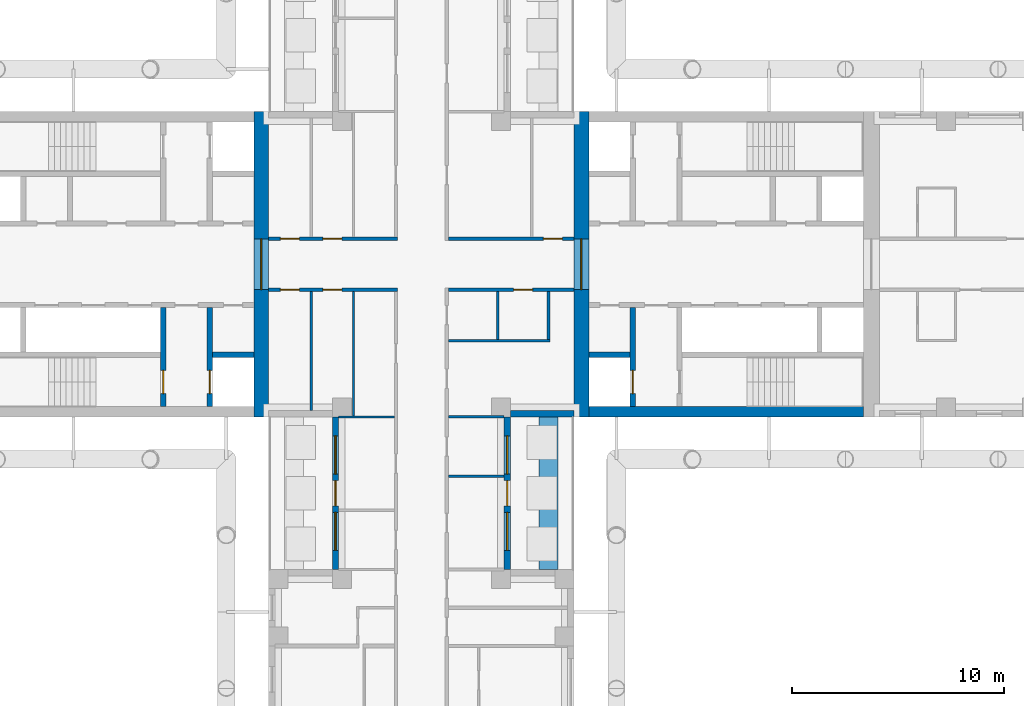
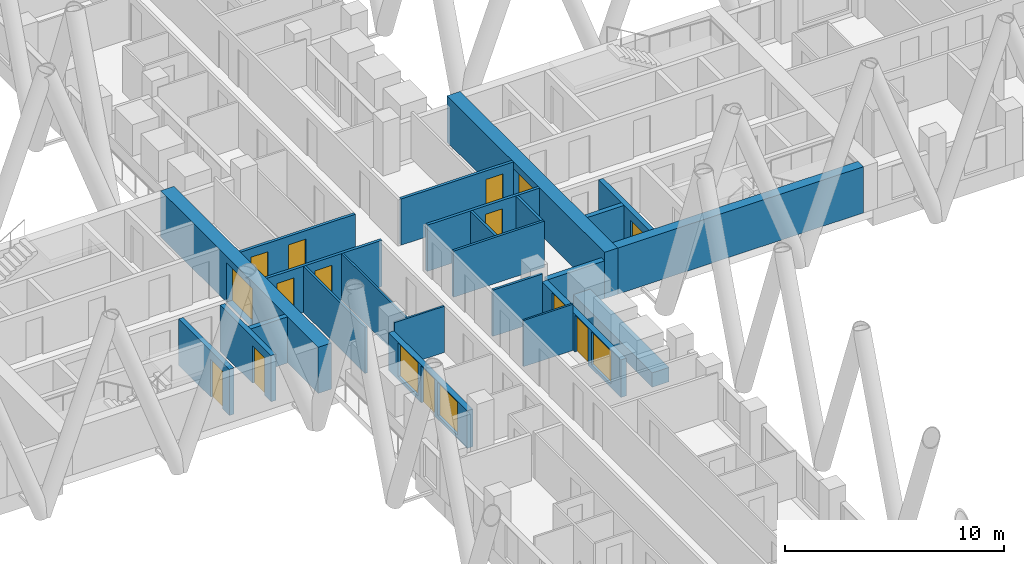
# One storey, part 8 of 17: 24 walls, 13 doors, 4 windows, 17 openings.
"""IFC4 building model written with IfcOpenShell, lengths in metres."""

from ifc_helpers import new_model, si_unit, direction, frame, frame_2d, origin, place, context, subcontext, project, spatial, rectangle, extrude, material, layer, layer_set, type_object, element, fill, save


model = new_model("IFC4")

# Units and contexts
model_context = context("Model", 3, precision=1e-05, world=origin(), true_north=direction((0.0, 1.0)))
body_context = subcontext(model_context, "Body", "Model", "MODEL_VIEW")
ifc_project = project(units=[si_unit("LENGTHUNIT", "METRE"), si_unit("AREAUNIT", "SQUARE_METRE"), si_unit("VOLUMEUNIT", "CUBIC_METRE"), si_unit("PLANEANGLEUNIT", "RADIAN"), si_unit("MASSUNIT", "GRAM", prefix="KILO")], contexts=[model_context])

# Site, building, storey
site_placement = place(None, origin())
site = spatial("IfcSite", under=ifc_project, at=site_placement, CompositionType="ELEMENT")
building_placement = place(site_placement, origin())
building = spatial("IfcBuilding", under=site, at=building_placement, Name="Fustian Cross Tower", CompositionType="ELEMENT")
storey_placement = place(building_placement, frame((0.0, 0.0, 56.699951171875)))
storey = spatial("IfcBuildingStorey", under=building, at=storey_placement, Name="L17", CompositionType="ELEMENT", Elevation=56.699951171875)

# Wall, openings, doors
ifc_material_1 = material(Name="Plasterboard on steel stud", Category="steel")
ifc_layer_1 = layer(ifc_material_1, 0.14990234375)
ifc_layer_set_1 = layer_set([ifc_layer_1], Name="Plasterboard on steel stud")
wall_type_1 = type_object("IfcWallType", Name="COMPARTMENT WALL 150 EI 60", PredefinedType="PARTITIONING", material=ifc_layer_set_1)
wall_1_placement = place(storey_placement, frame((-7.199951171875, -1.199951171875, 0.0), z_axis=(0.0, 0.0, 1.0), x_axis=(1.0, 0.0, 0.0)))
wall_1 = element("IfcWall", 1, at=wall_1_placement, inside=storey, type_object=wall_type_1, Name="Partition 12", PredefinedType="PARTITIONING", context=body_context, shape_type="SweptSolid", body=[
    extrude(rectangle(XDim=6.074951171875, YDim=0.14990234375, at=frame_2d((3.03759765625, 0.0))), origin(), (0.0, 0.0, 1.0), 2.574951171875),
])
opening_1_placement = place(wall_1_placement, frame((2.550048828125, 0.0, 0.0)))
opening_1 = element("IfcOpeningElement", 2, at=opening_1_placement, cuts=wall_1, Name="Opening D09010", PredefinedType="OPENING", context=body_context, shape_type="SweptSolid", body=[
    extrude(rectangle(XDim=0.89990234375, YDim=2.10009765625, at=frame_2d((0.449951171875, 1.050048828125))), frame((0.0, 0.0849609375, 0.0), z_axis=(0.0, -1.0, 0.0), x_axis=(1.0, 0.0, 0.0)), (0.0, 0.0, 1.0), 0.169921875),
])
opening_2_placement = place(wall_1_placement, frame((0.550048828125, 0.0, 0.0)))
opening_2 = element("IfcOpeningElement", 3, at=opening_2_placement, cuts=wall_1, Name="Opening D09011", PredefinedType="OPENING", context=body_context, shape_type="SweptSolid", body=[
    extrude(rectangle(XDim=0.89990234375, YDim=2.10009765625, at=frame_2d((0.449951171875, 1.050048828125))), frame((0.0, 0.0849609375, 0.0), z_axis=(0.0, -1.0, 0.0), x_axis=(1.0, 0.0, 0.0)), (0.0, 0.0, 1.0), 0.169921875),
])
ifc_material_2 = material(Name="Timber fire door set", Category="wood")
door_type_1 = type_object("IfcDoorType", Name="FIRE SWING DOOR 900 FD30S", OperationType="SINGLE_SWING_LEFT", PredefinedType="DOOR", material=ifc_material_2)
door_1_placement = place(opening_1_placement, frame((0.89990234375, 0.0, 0.0), z_axis=(0.0, 0.0, 1.0), x_axis=(-1.0, 0.0, 0.0)))
door_1 = element("IfcDoor", 4, at=door_1_placement, inside=storey, type_object=door_type_1, Name="Door D09010", OperationType="SINGLE_SWING_RIGHT", OverallHeight=2.10009765625, OverallWidth=0.89990234375, PredefinedType="DOOR", context=body_context, shape_type="SweptSolid", body=[
    extrude(rectangle(XDim=0.89990234375, YDim=2.10009765625, at=frame_2d((0.449951171875, 1.050048828125))), frame((0.0, 0.02490234375, 0.0), z_axis=(0.0, -1.0, 0.0), x_axis=(1.0, 0.0, 0.0)), (0.0, 0.0, 1.0), 0.050048828125),
])
fill(opening_1, door_1)
door_2_placement = place(opening_2_placement, frame((0.89990234375, 0.0, 0.0), z_axis=(0.0, 0.0, 1.0), x_axis=(-1.0, 0.0, 0.0)))
door_2 = element("IfcDoor", 5, at=door_2_placement, inside=storey, type_object=door_type_1, Name="Door D09011", OperationType="SINGLE_SWING_RIGHT", OverallHeight=2.10009765625, OverallWidth=0.89990234375, PredefinedType="DOOR", context=body_context, shape_type="SweptSolid", body=[
    extrude(rectangle(XDim=0.89990234375, YDim=2.10009765625, at=frame_2d((0.449951171875, 1.050048828125))), frame((0.0, 0.02490234375, 0.0), z_axis=(0.0, -1.0, 0.0), x_axis=(1.0, 0.0, 0.0)), (0.0, 0.0, 1.0), 0.050048828125),
])
fill(opening_2, door_2)

wall_2_placement = place(storey_placement, frame((-7.199951171875, 1.199951171875, 0.0), z_axis=(0.0, 0.0, 1.0), x_axis=(1.0, 0.0, 0.0)))
wall_2 = element("IfcWall", 6, at=wall_2_placement, inside=storey, type_object=wall_type_1, Name="Partition 13", PredefinedType="PARTITIONING", context=body_context, shape_type="SweptSolid", body=[
    extrude(rectangle(XDim=6.074951171875, YDim=0.14990234375, at=frame_2d((3.03759765625, 0.0))), origin(), (0.0, 0.0, 1.0), 2.574951171875),
])
opening_3_placement = place(wall_2_placement, frame((2.550048828125, 0.0, 0.0)))
opening_3 = element("IfcOpeningElement", 7, at=opening_3_placement, cuts=wall_2, Name="Opening D09004", PredefinedType="OPENING", context=body_context, shape_type="SweptSolid", body=[
    extrude(rectangle(XDim=0.89990234375, YDim=2.10009765625, at=frame_2d((0.449951171875, 1.050048828125))), frame((0.0, 0.0849609375, 0.0), z_axis=(0.0, -1.0, 0.0), x_axis=(1.0, 0.0, 0.0)), (0.0, 0.0, 1.0), 0.169921875),
])
opening_4_placement = place(wall_2_placement, frame((0.550048828125, 0.0, 0.0)))
opening_4 = element("IfcOpeningElement", 8, at=opening_4_placement, cuts=wall_2, Name="Opening D09005", PredefinedType="OPENING", context=body_context, shape_type="SweptSolid", body=[
    extrude(rectangle(XDim=0.89990234375, YDim=2.10009765625, at=frame_2d((0.449951171875, 1.050048828125))), frame((0.0, 0.0849609375, 0.0), z_axis=(0.0, -1.0, 0.0), x_axis=(1.0, 0.0, 0.0)), (0.0, 0.0, 1.0), 0.169921875),
])
door_3_placement = place(opening_3_placement, origin())
door_3 = element("IfcDoor", 9, at=door_3_placement, inside=storey, type_object=door_type_1, Name="Door D09004", OperationType="SINGLE_SWING_LEFT", OverallHeight=2.10009765625, OverallWidth=0.89990234375, PredefinedType="DOOR", context=body_context, shape_type="SweptSolid", body=[
    extrude(rectangle(XDim=0.89990234375, YDim=2.10009765625, at=frame_2d((0.449951171875, 1.050048828125))), frame((0.0, 0.02490234375, 0.0), z_axis=(0.0, -1.0, 0.0), x_axis=(1.0, 0.0, 0.0)), (0.0, 0.0, 1.0), 0.050048828125),
])
fill(opening_3, door_3)
door_4_placement = place(opening_4_placement, origin())
door_4 = element("IfcDoor", 10, at=door_4_placement, inside=storey, type_object=door_type_1, Name="Door D09005", OperationType="SINGLE_SWING_LEFT", OverallHeight=2.10009765625, OverallWidth=0.89990234375, PredefinedType="DOOR", context=body_context, shape_type="SweptSolid", body=[
    extrude(rectangle(XDim=0.89990234375, YDim=2.10009765625, at=frame_2d((0.449951171875, 1.050048828125))), frame((0.0, 0.02490234375, 0.0), z_axis=(0.0, -1.0, 0.0), x_axis=(1.0, 0.0, 0.0)), (0.0, 0.0, 1.0), 0.050048828125),
])
fill(opening_4, door_4)

# Wall, opening, door
wall_3_placement = place(storey_placement, frame((1.27490234375, -1.199951171875, 0.0), z_axis=(0.0, 0.0, 1.0), x_axis=(1.0, 0.0, 0.0)))
wall_3 = element("IfcWall", 11, at=wall_3_placement, inside=storey, type_object=wall_type_1, Name="Partition 56", PredefinedType="PARTITIONING", context=body_context, shape_type="SweptSolid", body=[
    extrude(rectangle(XDim=5.925048828125, YDim=0.14990234375, at=frame_2d((2.96240234375, 0.0))), origin(), (0.0, 0.0, 1.0), 2.574951171875),
])
opening_5_placement = place(wall_3_placement, frame((3.074951171875, 0.0, 0.0)))
opening_5 = element("IfcOpeningElement", 12, at=opening_5_placement, cuts=wall_3, Name="Opening D09007", PredefinedType="OPENING", context=body_context, shape_type="SweptSolid", body=[
    extrude(rectangle(XDim=0.89990234375, YDim=2.10009765625, at=frame_2d((0.449951171875, 1.050048828125))), frame((0.0, 0.0849609375, 0.0), z_axis=(0.0, -1.0, 0.0), x_axis=(1.0, 0.0, 0.0)), (0.0, 0.0, 1.0), 0.169921875),
])
door_5_placement = place(opening_5_placement, frame((0.89990234375, 0.0, 0.0), z_axis=(0.0, 0.0, 1.0), x_axis=(-1.0, 0.0, 0.0)))
door_5 = element("IfcDoor", 13, at=door_5_placement, inside=storey, type_object=door_type_1, Name="Door D09007", OperationType="SINGLE_SWING_RIGHT", OverallHeight=2.10009765625, OverallWidth=0.89990234375, PredefinedType="DOOR", context=body_context, shape_type="SweptSolid", body=[
    extrude(rectangle(XDim=0.89990234375, YDim=2.10009765625, at=frame_2d((0.449951171875, 1.050048828125))), frame((0.0, 0.02490234375, 0.0), z_axis=(0.0, -1.0, 0.0), x_axis=(1.0, 0.0, 0.0)), (0.0, 0.0, 1.0), 0.050048828125),
])
fill(opening_5, door_5)

wall_4_placement = place(storey_placement, frame((1.27490234375, 1.199951171875, 0.0), z_axis=(0.0, 0.0, 1.0), x_axis=(1.0, 0.0, 0.0)))
wall_4 = element("IfcWall", 14, at=wall_4_placement, inside=storey, type_object=wall_type_1, Name="Partition 58", PredefinedType="PARTITIONING", context=body_context, shape_type="SweptSolid", body=[
    extrude(rectangle(XDim=5.925048828125, YDim=0.14990234375, at=frame_2d((2.96240234375, 0.0))), origin(), (0.0, 0.0, 1.0), 2.574951171875),
])
opening_6_placement = place(wall_4_placement, frame((4.47509765625, 0.0, 0.0)))
opening_6 = element("IfcOpeningElement", 15, at=opening_6_placement, cuts=wall_4, Name="Opening D09002", PredefinedType="OPENING", context=body_context, shape_type="SweptSolid", body=[
    extrude(rectangle(XDim=0.89990234375, YDim=2.10009765625, at=frame_2d((0.449951171875, 1.050048828125))), frame((0.0, 0.0849609375, 0.0), z_axis=(0.0, -1.0, 0.0), x_axis=(1.0, 0.0, 0.0)), (0.0, 0.0, 1.0), 0.169921875),
])
door_6_placement = place(opening_6_placement, origin())
door_6 = element("IfcDoor", 16, at=door_6_placement, inside=storey, type_object=door_type_1, Name="Door D09002", OperationType="SINGLE_SWING_LEFT", OverallHeight=2.10009765625, OverallWidth=0.89990234375, PredefinedType="DOOR", context=body_context, shape_type="SweptSolid", body=[
    extrude(rectangle(XDim=0.89990234375, YDim=2.10009765625, at=frame_2d((0.449951171875, 1.050048828125))), frame((0.0, 0.02490234375, 0.0), z_axis=(0.0, -1.0, 0.0), x_axis=(1.0, 0.0, 0.0)), (0.0, 0.0, 1.0), 0.050048828125),
])
fill(opening_6, door_6)

ifc_material_3 = material(Name="Concrete C80/95", Category="concrete")
ifc_layer_2 = layer(ifc_material_3, 0.699951171875)
ifc_layer_set_2 = layer_set([ifc_layer_2], Name="Concrete C80/95")
wall_type_2 = type_object("IfcWallType", Name="CORE END WALL 700 C80/95", PredefinedType="SHEAR", material=ifc_layer_set_2)
wall_5_placement = place(storey_placement, frame((7.550048828125, -7.199951171875, 0.0), z_axis=(0.0, 0.0, 1.0), x_axis=(0.0, 1.0, 0.0)))
wall_5 = element("IfcWall", 17, at=wall_5_placement, inside=storey, type_object=wall_type_2, Name="Core end wall", PredefinedType="SHEAR", context=body_context, shape_type="SweptSolid", body=[
    extrude(rectangle(XDim=14.39990234375, YDim=0.699951171875, at=frame_2d((7.199951171875, 0.0))), origin(), (0.0, 0.0, 1.0), 2.574951171875),
])
opening_7_placement = place(wall_5_placement, frame((6.0, 0.0, 0.0)))
opening_7 = element("IfcOpeningElement", 18, at=opening_7_placement, cuts=wall_5, Name="Opening CD-06-12", PredefinedType="OPENING", context=body_context, shape_type="SweptSolid", body=[
    extrude(rectangle(XDim=2.39990234375, YDim=2.199951171875, at=frame_2d((1.199951171875, 1.10009765625))), frame((0.0, 0.35986328125, 0.0), z_axis=(0.0, -1.0, 0.0), x_axis=(1.0, 0.0, 0.0)), (0.0, 0.0, 1.0), 0.719970703125),
])
ifc_material_4 = material(Name="Steel", Category="steel")
door_type_2 = type_object("IfcDoorType", Name="FIRE DOOR FD30S DOUBLE 2400X2200", OperationType="DOUBLE_DOOR_DOUBLE_SWING", PredefinedType="DOOR", material=ifc_material_4)
door_7_placement = place(opening_7_placement, frame((2.39990234375, 0.0, 0.0), z_axis=(0.0, 0.0, 1.0), x_axis=(-1.0, 0.0, 0.0)))
door_7 = element("IfcDoor", 19, at=door_7_placement, inside=storey, type_object=door_type_2, Name="Core door CD-06-12", OperationType="DOUBLE_DOOR_DOUBLE_SWING", OverallHeight=2.199951171875, OverallWidth=2.39990234375, PredefinedType="DOOR", context=body_context, shape_type="SweptSolid", body=[
    extrude(rectangle(XDim=2.39990234375, YDim=2.199951171875, at=frame_2d((1.199951171875, 1.10009765625))), frame((0.0, 0.02490234375, 0.0), z_axis=(0.0, -1.0, 0.0), x_axis=(1.0, 0.0, 0.0)), (0.0, 0.0, 1.0), 0.050048828125),
])
fill(opening_7, door_7)

wall_6_placement = place(storey_placement, frame((-7.550048828125, -7.199951171875, 0.0), z_axis=(0.0, 0.0, 1.0), x_axis=(0.0, 1.0, 0.0)))
wall_6 = element("IfcWall", 20, at=wall_6_placement, inside=storey, type_object=wall_type_2, Name="Core end wall", PredefinedType="SHEAR", context=body_context, shape_type="SweptSolid", body=[
    extrude(rectangle(XDim=14.39990234375, YDim=0.699951171875, at=frame_2d((7.199951171875, 0.0))), origin(), (0.0, 0.0, 1.0), 2.574951171875),
])
opening_8_placement = place(wall_6_placement, frame((6.0, 0.0, 0.0)))
opening_8 = element("IfcOpeningElement", 21, at=opening_8_placement, cuts=wall_6, Name="Opening CD-06-27", PredefinedType="OPENING", context=body_context, shape_type="SweptSolid", body=[
    extrude(rectangle(XDim=2.39990234375, YDim=2.199951171875, at=frame_2d((1.199951171875, 1.10009765625))), frame((0.0, 0.35986328125, 0.0), z_axis=(0.0, -1.0, 0.0), x_axis=(1.0, 0.0, 0.0)), (0.0, 0.0, 1.0), 0.719970703125),
])
door_8_placement = place(opening_8_placement, origin())
door_8 = element("IfcDoor", 22, at=door_8_placement, inside=storey, type_object=door_type_2, Name="Core door CD-06-27", OperationType="DOUBLE_DOOR_DOUBLE_SWING", OverallHeight=2.199951171875, OverallWidth=2.39990234375, PredefinedType="DOOR", context=body_context, shape_type="SweptSolid", body=[
    extrude(rectangle(XDim=2.39990234375, YDim=2.199951171875, at=frame_2d((1.199951171875, 1.10009765625))), frame((0.0, 0.02490234375, 0.0), z_axis=(0.0, -1.0, 0.0), x_axis=(1.0, 0.0, 0.0)), (0.0, 0.0, 1.0), 0.050048828125),
])
fill(opening_8, door_8)

# Walls
ifc_material_5 = material(Name="Concrete C80/95", Category="concrete")
ifc_layer_3 = layer(ifc_material_5, 0.5)
ifc_layer_set_3 = layer_set([ifc_layer_3], Name="Concrete C80/95")
wall_type_3 = type_object("IfcWallType", Name="CORE FACADE WALL 500 C80/95", PredefinedType="SHEAR", material=ifc_layer_set_3)
wall_7_placement = place(storey_placement, frame((7.89990234375, -6.949951171875, 0.0), z_axis=(0.0, 0.0, 1.0), x_axis=(1.0, 0.0, 0.0)))
element("IfcWall", 23, at=wall_7_placement, inside=storey, type_object=wall_type_3, Name="Core facade wall", PredefinedType="SHEAR", context=body_context, shape_type="SweptSolid", body=[
    extrude(rectangle(XDim=12.9501953125, YDim=0.5, at=frame_2d((6.47509765625, 0.0))), origin(), (0.0, 0.0, 1.0), 2.574951171875),
])
ifc_material_6 = material(Name="Concrete C50/60", Category="concrete")
ifc_layer_4 = layer(ifc_material_6, 0.25)
ifc_layer_set_4 = layer_set([ifc_layer_4], Name="Concrete C50/60")
wall_type_4 = type_object("IfcWallType", Name="CORE SHAFT WALL 250 C50/60", PredefinedType="SHEAR", material=ifc_layer_set_4)
wall_8_placement = place(storey_placement, frame((7.89990234375, -4.27490234375, 0.0), z_axis=(0.0, 0.0, 1.0), x_axis=(1.0, 0.0, 0.0)))
element("IfcWall", 24, at=wall_8_placement, inside=storey, type_object=wall_type_4, Name="Core shaft wall", PredefinedType="SHEAR", context=body_context, shape_type="SweptSolid", body=[
    extrude(rectangle(XDim=1.9501953125, YDim=0.25, at=frame_2d((0.97509765625, 0.0))), origin(), (0.0, 0.0, 1.0), 2.574951171875),
])

# Wall, opening, door
wall_9_placement = place(storey_placement, frame((9.97509765625, -2.050048828125, 0.0), z_axis=(0.0, 0.0, 1.0), x_axis=(0.0, -1.0, 0.0)))
wall_9 = element("IfcWall", 25, at=wall_9_placement, inside=storey, type_object=wall_type_4, Name="Core shaft wall", PredefinedType="SHEAR", context=body_context, shape_type="SweptSolid", body=[
    extrude(rectangle(XDim=4.64990234375, YDim=0.25, at=frame_2d((2.324951171875, 0.0))), origin(), (0.0, 0.0, 1.0), 2.574951171875),
])
opening_9_placement = place(wall_9_placement, frame((2.949951171875, 0.0, 0.0)))
opening_9 = element("IfcOpeningElement", 26, at=opening_9_placement, cuts=wall_9, Name="Opening LD", PredefinedType="OPENING", context=body_context, shape_type="SweptSolid", body=[
    extrude(rectangle(XDim=1.10009765625, YDim=2.10009765625, at=frame_2d((0.550048828125, 1.050048828125))), frame((0.0, 0.135009765625, 0.0), z_axis=(0.0, -1.0, 0.0), x_axis=(1.0, 0.0, 0.0)), (0.0, 0.0, 1.0), 0.27001953125),
])
ifc_material_7 = material(Name="Stainless steel", Category="steel")
door_type_3 = type_object("IfcDoorType", Name="LIFT LANDING DOOR 1100X2100", OperationType="SLIDING_TO_LEFT", PredefinedType="DOOR", material=ifc_material_7)
door_9_placement = place(opening_9_placement, origin())
door_9 = element("IfcDoor", 27, at=door_9_placement, inside=storey, type_object=door_type_3, Name="Landing door SV1", OperationType="SLIDING_TO_LEFT", OverallHeight=2.10009765625, OverallWidth=1.10009765625, PredefinedType="DOOR", context=body_context, shape_type="SweptSolid", body=[
    extrude(rectangle(XDim=1.10009765625, YDim=2.10009765625, at=frame_2d((0.550048828125, 1.050048828125))), frame((0.0, 0.02490234375, 0.0), z_axis=(0.0, -1.0, 0.0), x_axis=(1.0, 0.0, 0.0)), (0.0, 0.0, 1.0), 0.050048828125),
])
fill(opening_9, door_9)

# Wall
wall_10_placement = place(storey_placement, frame((-7.89990234375, -4.27490234375, 0.0), z_axis=(0.0, 0.0, 1.0), x_axis=(-1.0, 0.0, 0.0)))
element("IfcWall", 28, at=wall_10_placement, inside=storey, type_object=wall_type_4, Name="Core shaft wall", PredefinedType="SHEAR", context=body_context, shape_type="SweptSolid", body=[
    extrude(rectangle(XDim=1.9501953125, YDim=0.25, at=frame_2d((0.97509765625, 0.0))), origin(), (0.0, 0.0, 1.0), 2.574951171875),
])

# Wall, opening, door
wall_11_placement = place(storey_placement, frame((-9.97509765625, -2.050048828125, 0.0), z_axis=(0.0, 0.0, 1.0), x_axis=(0.0, -1.0, 0.0)))
wall_11 = element("IfcWall", 29, at=wall_11_placement, inside=storey, type_object=wall_type_4, Name="Core shaft wall", PredefinedType="SHEAR", context=body_context, shape_type="SweptSolid", body=[
    extrude(rectangle(XDim=4.64990234375, YDim=0.25, at=frame_2d((2.324951171875, 0.0))), origin(), (0.0, 0.0, 1.0), 2.574951171875),
])
opening_10_placement = place(wall_11_placement, frame((2.949951171875, 0.0, 0.0)))
opening_10 = element("IfcOpeningElement", 30, at=opening_10_placement, cuts=wall_11, Name="Opening LD", PredefinedType="OPENING", context=body_context, shape_type="SweptSolid", body=[
    extrude(rectangle(XDim=1.10009765625, YDim=2.10009765625, at=frame_2d((0.550048828125, 1.050048828125))), frame((0.0, 0.135009765625, 0.0), z_axis=(0.0, -1.0, 0.0), x_axis=(1.0, 0.0, 0.0)), (0.0, 0.0, 1.0), 0.27001953125),
])
door_10_placement = place(opening_10_placement, origin())
door_10 = element("IfcDoor", 31, at=door_10_placement, inside=storey, type_object=door_type_3, Name="Landing door SV1W", OperationType="SLIDING_TO_LEFT", OverallHeight=2.10009765625, OverallWidth=1.10009765625, PredefinedType="DOOR", context=body_context, shape_type="SweptSolid", body=[
    extrude(rectangle(XDim=1.10009765625, YDim=2.10009765625, at=frame_2d((0.550048828125, 1.050048828125))), frame((0.0, 0.02490234375, 0.0), z_axis=(0.0, -1.0, 0.0), x_axis=(1.0, 0.0, 0.0)), (0.0, 0.0, 1.0), 0.050048828125),
])
fill(opening_10, door_10)

wall_12_placement = place(storey_placement, frame((-12.175048828125, -2.050048828125, 0.0), z_axis=(0.0, 0.0, 1.0), x_axis=(0.0, -1.0, 0.0)))
wall_12 = element("IfcWall", 32, at=wall_12_placement, inside=storey, type_object=wall_type_4, Name="Core shaft wall", PredefinedType="SHEAR", context=body_context, shape_type="SweptSolid", body=[
    extrude(rectangle(XDim=4.64990234375, YDim=0.25, at=frame_2d((2.324951171875, 0.0))), origin(), (0.0, 0.0, 1.0), 2.574951171875),
])
opening_11_placement = place(wall_12_placement, frame((2.949951171875, 0.0, 0.0)))
opening_11 = element("IfcOpeningElement", 33, at=opening_11_placement, cuts=wall_12, Name="Opening CD-06-22", PredefinedType="OPENING", context=body_context, shape_type="SweptSolid", body=[
    extrude(rectangle(XDim=1.10009765625, YDim=2.10009765625, at=frame_2d((0.550048828125, 1.050048828125))), frame((0.0, 0.135009765625, 0.0), z_axis=(0.0, -1.0, 0.0), x_axis=(1.0, 0.0, 0.0)), (0.0, 0.0, 1.0), 0.27001953125),
])
ifc_material_8 = material(Name="Steel", Category="steel")
door_type_4 = type_object("IfcDoorType", Name="FIRE DOOR FD60S 1100X2100", OperationType="SINGLE_SWING_LEFT", PredefinedType="DOOR", material=ifc_material_8)
door_11_placement = place(opening_11_placement, frame((1.10009765625, 0.0, 0.0), z_axis=(0.0, 0.0, 1.0), x_axis=(-1.0, 0.0, 0.0)))
door_11 = element("IfcDoor", 34, at=door_11_placement, inside=storey, type_object=door_type_4, Name="Core door CD-06-22", OperationType="SINGLE_SWING_RIGHT", OverallHeight=2.10009765625, OverallWidth=1.10009765625, PredefinedType="DOOR", context=body_context, shape_type="SweptSolid", body=[
    extrude(rectangle(XDim=1.10009765625, YDim=2.10009765625, at=frame_2d((0.550048828125, 1.050048828125))), frame((0.0, 0.02490234375, 0.0), z_axis=(0.0, -1.0, 0.0), x_axis=(1.0, 0.0, 0.0)), (0.0, 0.0, 1.0), 0.050048828125),
])
fill(opening_11, door_11)

# Walls
ifc_material_9 = material(Name="Plasterboard on steel stud", Category="steel")
ifc_layer_5 = layer(ifc_material_9, 0.10009765625)
ifc_layer_set_5 = layer_set([ifc_layer_5], Name="Plasterboard on steel stud")
wall_type_5 = type_object("IfcWallType", Name="PARTITION 100 STUD", PredefinedType="PARTITIONING", material=ifc_layer_set_5)
wall_13_placement = place(storey_placement, frame((-3.89990234375, -7.199951171875, 0.0), z_axis=(0.0, 0.0, 1.0), x_axis=(1.0, 0.0, 0.0)))
element("IfcWall", 35, at=wall_13_placement, inside=storey, type_object=wall_type_5, Name="Partition 30", PredefinedType="PARTITIONING", context=body_context, shape_type="SweptSolid", body=[
    extrude(rectangle(XDim=2.625, YDim=0.10009765625, at=frame_2d((1.3125, 0.0))), origin(), (0.0, 0.0, 1.0), 2.574951171875),
])
wall_14_placement = place(storey_placement, frame((-3.199951171875, -7.14990234375, 0.0), z_axis=(0.0, 0.0, 1.0), x_axis=(0.0, 1.0, 0.0)))
element("IfcWall", 36, at=wall_14_placement, inside=storey, type_object=wall_type_5, Name="Partition 40", PredefinedType="PARTITIONING", context=body_context, shape_type="SweptSolid", body=[
    extrude(rectangle(XDim=5.875, YDim=0.10009765625, at=frame_2d((2.9375, 0.0))), origin(), (0.0, 0.0, 1.0), 2.574951171875),
])
wall_15_placement = place(storey_placement, frame((1.27490234375, -10.0, 0.0), z_axis=(0.0, 0.0, 1.0), x_axis=(1.0, 0.0, 0.0)))
element("IfcWall", 37, at=wall_15_placement, inside=storey, type_object=wall_type_5, Name="Partition 53", PredefinedType="PARTITIONING", context=body_context, shape_type="SweptSolid", body=[
    extrude(rectangle(XDim=2.625, YDim=0.10009765625, at=frame_2d((1.3125, 0.0))), origin(), (0.0, 0.0, 1.0), 2.574951171875),
])
ifc_material_10 = material(Name="Concrete C40/50", Category="concrete")
ifc_layer_6 = layer(ifc_material_10, 0.89990234375)
ifc_layer_set_6 = layer_set([ifc_layer_6], Name="Concrete C40/50")
wall_type_6 = type_object("IfcWallType", Name="PK1 PLANTER 900", PredefinedType="PARAPET", material=ifc_layer_set_6)
wall_16_placement = place(storey_placement, frame((6.0, -14.39990234375, 0.0), z_axis=(0.0, 0.0, 1.0), x_axis=(0.0, 1.0, 0.0)))
element("IfcWall", 38, at=wall_16_placement, inside=storey, type_object=wall_type_6, Name="PLANTER", PredefinedType="PARAPET", context=body_context, shape_type="SweptSolid", body=[
    extrude(rectangle(XDim=7.199951171875, YDim=0.89990234375, at=frame_2d((3.60009765625, 0.0))), origin(), (0.0, 0.0, 1.0), 0.800048828125),
])
ifc_material_11 = material(Name="Plasterboard on steel stud", Category="steel")
ifc_layer_7 = layer(ifc_material_11, 0.125)
ifc_layer_set_7 = layer_set([ifc_layer_7], Name="Plasterboard on steel stud")
wall_type_7 = type_object("IfcWallType", Name="WET WALL 125 STUD", PredefinedType="PARTITIONING", material=ifc_layer_set_7)
wall_17_placement = place(storey_placement, frame((-5.199951171875, -6.89990234375, 0.0), z_axis=(0.0, 0.0, 1.0), x_axis=(0.0, 1.0, 0.0)))
element("IfcWall", 39, at=wall_17_placement, inside=storey, type_object=wall_type_7, Name="Partition 22", PredefinedType="PARTITIONING", context=body_context, shape_type="SweptSolid", body=[
    extrude(rectangle(XDim=5.625, YDim=0.125, at=frame_2d((2.8125, 0.0))), origin(), (0.0, 0.0, 1.0), 2.574951171875),
])
wall_18_placement = place(storey_placement, frame((1.27490234375, -7.199951171875, 0.0), z_axis=(0.0, 0.0, 1.0), x_axis=(1.0, 0.0, 0.0)))
element("IfcWall", 40, at=wall_18_placement, inside=storey, type_object=wall_type_7, Name="Partition 54", PredefinedType="PARTITIONING", context=body_context, shape_type="SweptSolid", body=[
    extrude(rectangle(XDim=2.625, YDim=0.125, at=frame_2d((1.3125, 0.0))), origin(), (0.0, 0.0, 1.0), 2.574951171875),
])
wall_19_placement = place(storey_placement, frame((1.27490234375, -3.60009765625, 0.0), z_axis=(0.0, 0.0, 1.0), x_axis=(1.0, 0.0, 0.0)))
element("IfcWall", 41, at=wall_19_placement, inside=storey, type_object=wall_type_7, Name="Partition 55", PredefinedType="PARTITIONING", context=body_context, shape_type="SweptSolid", body=[
    extrude(rectangle(XDim=4.78759765625, YDim=0.125, at=frame_2d((2.393798828125, 0.0))), origin(), (0.0, 0.0, 1.0), 2.574951171875),
])
for number, where, z_axis, x_axis, name in (
    (42, (3.60009765625, -3.53759765625, 0.0), (0.0, 0.0, 1.0), (0.0, 1.0, 0.0), "Partition 76"),
    (43, (6.0, -3.53759765625, 0.0), (0.0, 0.0, 1.0), (0.0, 1.0, 0.0), "Partition 87"),
):
    element("IfcWall", number, at=place(storey_placement, frame(where, z_axis=z_axis, x_axis=x_axis)), inside=storey, type_object=wall_type_7, Name=name, PredefinedType="PARTITIONING", context=body_context, shape_type="SweptSolid", body=[
        extrude(rectangle(XDim=2.2626953125, YDim=0.125, at=frame_2d((1.13134765625, 0.0))), origin(), (0.0, 0.0, 1.0), 2.574951171875),
    ])

# Wall, openings, door, windows
ifc_material_12 = material(Name="Dark aluminium cladding on insulated backing wall", Category="aluminium")
ifc_layer_8 = layer(ifc_material_12, 0.300048828125)
ifc_layer_set_8 = layer_set([ifc_layer_8], Name="Dark aluminium cladding on insulated backing wall")
wall_type_8 = type_object("IfcWallType", Name="XW1 EXTERNAL WALL 300", PredefinedType="SOLIDWALL", material=ifc_layer_set_8)
wall_20_placement = place(storey_placement, frame((-4.050048828125, -7.199951171875, 0.0), z_axis=(0.0, 0.0, 1.0), x_axis=(0.0, -1.0, 0.0)))
wall_20 = element("IfcWall", 44, at=wall_20_placement, inside=storey, type_object=wall_type_8, Name="External wall", PredefinedType="SOLIDWALL", context=body_context, shape_type="SweptSolid", body=[
    extrude(rectangle(XDim=7.199951171875, YDim=0.300048828125, at=frame_2d((3.60009765625, 0.0))), origin(), (0.0, 0.0, 1.0), 2.10009765625),
])
opening_12_placement = place(wall_20_placement, frame((3.0, 0.0, 0.0)))
opening_12 = element("IfcOpeningElement", 45, at=opening_12_placement, cuts=wall_20, Name="Opening XD4", PredefinedType="OPENING", context=body_context, shape_type="SweptSolid", body=[
    extrude(rectangle(XDim=1.199951171875, YDim=2.050048828125, at=frame_2d((0.60009765625, 1.02490234375))), frame((0.0, 0.159912109375, 0.0), z_axis=(0.0, -1.0, 0.0), x_axis=(1.0, 0.0, 0.0)), (0.0, 0.0, 1.0), 0.320068359375),
])
opening_13_placement = place(wall_20_placement, frame((0.89990234375, 0.0, 0.199951171875)))
opening_13 = element("IfcOpeningElement", 46, at=opening_13_placement, cuts=wall_20, Name="Opening WN2", PredefinedType="OPENING", context=body_context, shape_type="SweptSolid", body=[
    extrude(rectangle(XDim=1.800048828125, YDim=1.85009765625, at=frame_2d((0.89990234375, 0.925048828125))), frame((0.0, 0.159912109375, 0.0), z_axis=(0.0, -1.0, 0.0), x_axis=(1.0, 0.0, 0.0)), (0.0, 0.0, 1.0), 0.320068359375),
])
opening_14_placement = place(wall_20_placement, frame((4.5, 0.0, 0.199951171875)))
opening_14 = element("IfcOpeningElement", 47, at=opening_14_placement, cuts=wall_20, Name="Opening WN2", PredefinedType="OPENING", context=body_context, shape_type="SweptSolid", body=[
    extrude(rectangle(XDim=1.800048828125, YDim=1.85009765625, at=frame_2d((0.89990234375, 0.925048828125))), frame((0.0, 0.159912109375, 0.0), z_axis=(0.0, -1.0, 0.0), x_axis=(1.0, 0.0, 0.0)), (0.0, 0.0, 1.0), 0.320068359375),
])
ifc_material_13 = material(Name="Dark anodised aluminium and double glazing", Category="aluminium")
door_type_5 = type_object("IfcDoorType", Name="ED1 BALCONY DOOR 1200X2050", OperationType="SINGLE_SWING_LEFT", PredefinedType="DOOR", material=ifc_material_13)
door_12_placement = place(opening_12_placement, origin())
door_12 = element("IfcDoor", 48, at=door_12_placement, inside=storey, type_object=door_type_5, Name="Balcony door", OperationType="SINGLE_SWING_LEFT", OverallHeight=2.050048828125, OverallWidth=1.199951171875, PredefinedType="DOOR", context=body_context, shape_type="SweptSolid", body=[
    extrude(rectangle(XDim=1.199951171875, YDim=2.050048828125, at=frame_2d((0.60009765625, 1.02490234375))), frame((0.0, 0.02490234375, 0.0), z_axis=(0.0, -1.0, 0.0), x_axis=(1.0, 0.0, 0.0)), (0.0, 0.0, 1.0), 0.050048828125),
])
fill(opening_12, door_12)
ifc_material_14 = material(Name="Dark anodised aluminium and double glazing", Category="aluminium")
window_type = type_object("IfcWindowType", Name="WN2 WINDOW 1800X1850", PartitioningType="SINGLE_PANEL", PredefinedType="WINDOW", material=ifc_material_14)
window_1_placement = place(opening_13_placement, origin())
window_1 = element("IfcWindow", 49, at=window_1_placement, inside=storey, type_object=window_type, Name="Window", OverallHeight=1.85009765625, OverallWidth=1.800048828125, PartitioningType="SINGLE_PANEL", PredefinedType="WINDOW", context=body_context, shape_type="SweptSolid", body=[
    extrude(rectangle(XDim=1.800048828125, YDim=1.85009765625, at=frame_2d((0.89990234375, 0.925048828125))), frame((0.0, 0.030029296875, 0.0), z_axis=(0.0, -1.0, 0.0), x_axis=(1.0, 0.0, 0.0)), (0.0, 0.0, 1.0), 0.06005859375),
])
fill(opening_13, window_1)
window_2_placement = place(opening_14_placement, origin())
window_2 = element("IfcWindow", 50, at=window_2_placement, inside=storey, type_object=window_type, Name="Window", OverallHeight=1.85009765625, OverallWidth=1.800048828125, PartitioningType="SINGLE_PANEL", PredefinedType="WINDOW", context=body_context, shape_type="SweptSolid", body=[
    extrude(rectangle(XDim=1.800048828125, YDim=1.85009765625, at=frame_2d((0.89990234375, 0.925048828125))), frame((0.0, 0.030029296875, 0.0), z_axis=(0.0, -1.0, 0.0), x_axis=(1.0, 0.0, 0.0)), (0.0, 0.0, 1.0), 0.06005859375),
])
fill(opening_14, window_2)

wall_21_placement = place(storey_placement, frame((4.050048828125, -14.39990234375, 0.0), z_axis=(0.0, 0.0, 1.0), x_axis=(0.0, 1.0, 0.0)))
wall_21 = element("IfcWall", 51, at=wall_21_placement, inside=storey, type_object=wall_type_8, Name="External wall", PredefinedType="SOLIDWALL", context=body_context, shape_type="SweptSolid", body=[
    extrude(rectangle(XDim=7.199951171875, YDim=0.300048828125, at=frame_2d((3.60009765625, 0.0))), origin(), (0.0, 0.0, 1.0), 2.10009765625),
])
opening_15_placement = place(wall_21_placement, frame((3.0, 0.0, 0.0)))
opening_15 = element("IfcOpeningElement", 52, at=opening_15_placement, cuts=wall_21, Name="Opening XD3", PredefinedType="OPENING", context=body_context, shape_type="SweptSolid", body=[
    extrude(rectangle(XDim=1.199951171875, YDim=2.050048828125, at=frame_2d((0.60009765625, 1.02490234375))), frame((0.0, 0.159912109375, 0.0), z_axis=(0.0, -1.0, 0.0), x_axis=(1.0, 0.0, 0.0)), (0.0, 0.0, 1.0), 0.320068359375),
])
opening_16_placement = place(wall_21_placement, frame((0.89990234375, 0.0, 0.199951171875)))
opening_16 = element("IfcOpeningElement", 53, at=opening_16_placement, cuts=wall_21, Name="Opening WN2", PredefinedType="OPENING", context=body_context, shape_type="SweptSolid", body=[
    extrude(rectangle(XDim=1.800048828125, YDim=1.85009765625, at=frame_2d((0.89990234375, 0.925048828125))), frame((0.0, 0.159912109375, 0.0), z_axis=(0.0, -1.0, 0.0), x_axis=(1.0, 0.0, 0.0)), (0.0, 0.0, 1.0), 0.320068359375),
])
opening_17_placement = place(wall_21_placement, frame((4.5, 0.0, 0.199951171875)))
opening_17 = element("IfcOpeningElement", 54, at=opening_17_placement, cuts=wall_21, Name="Opening WN2", PredefinedType="OPENING", context=body_context, shape_type="SweptSolid", body=[
    extrude(rectangle(XDim=1.800048828125, YDim=1.85009765625, at=frame_2d((0.89990234375, 0.925048828125))), frame((0.0, 0.159912109375, 0.0), z_axis=(0.0, -1.0, 0.0), x_axis=(1.0, 0.0, 0.0)), (0.0, 0.0, 1.0), 0.320068359375),
])
door_13_placement = place(opening_15_placement, origin())
door_13 = element("IfcDoor", 55, at=door_13_placement, inside=storey, type_object=door_type_5, Name="Balcony door", OperationType="SINGLE_SWING_LEFT", OverallHeight=2.050048828125, OverallWidth=1.199951171875, PredefinedType="DOOR", context=body_context, shape_type="SweptSolid", body=[
    extrude(rectangle(XDim=1.199951171875, YDim=2.050048828125, at=frame_2d((0.60009765625, 1.02490234375))), frame((0.0, 0.02490234375, 0.0), z_axis=(0.0, -1.0, 0.0), x_axis=(1.0, 0.0, 0.0)), (0.0, 0.0, 1.0), 0.050048828125),
])
fill(opening_15, door_13)
window_3_placement = place(opening_16_placement, origin())
window_3 = element("IfcWindow", 56, at=window_3_placement, inside=storey, type_object=window_type, Name="Window", OverallHeight=1.85009765625, OverallWidth=1.800048828125, PartitioningType="SINGLE_PANEL", PredefinedType="WINDOW", context=body_context, shape_type="SweptSolid", body=[
    extrude(rectangle(XDim=1.800048828125, YDim=1.85009765625, at=frame_2d((0.89990234375, 0.925048828125))), frame((0.0, 0.030029296875, 0.0), z_axis=(0.0, -1.0, 0.0), x_axis=(1.0, 0.0, 0.0)), (0.0, 0.0, 1.0), 0.06005859375),
])
fill(opening_16, window_3)
window_4_placement = place(opening_17_placement, origin())
window_4 = element("IfcWindow", 57, at=window_4_placement, inside=storey, type_object=window_type, Name="Window", OverallHeight=1.85009765625, OverallWidth=1.800048828125, PartitioningType="SINGLE_PANEL", PredefinedType="WINDOW", context=body_context, shape_type="SweptSolid", body=[
    extrude(rectangle(XDim=1.800048828125, YDim=1.85009765625, at=frame_2d((0.89990234375, 0.925048828125))), frame((0.0, 0.030029296875, 0.0), z_axis=(0.0, -1.0, 0.0), x_axis=(1.0, 0.0, 0.0)), (0.0, 0.0, 1.0), 0.06005859375),
])
fill(opening_17, window_4)

# Wall
wall_22_placement = place(storey_placement, frame((4.199951171875, -7.050048828125, 0.0), z_axis=(0.0, 0.0, 1.0), x_axis=(1.0, 0.0, 0.0)))
element("IfcWall", 58, at=wall_22_placement, inside=storey, type_object=wall_type_8, Name="External wall", PredefinedType="SOLIDWALL", context=body_context, shape_type="SweptSolid", body=[
    extrude(rectangle(XDim=3.0, YDim=0.300048828125, at=frame_2d((1.5, 0.0))), origin(), (0.0, 0.0, 1.0), 2.10009765625),
])

save(model, "model.ifc")
